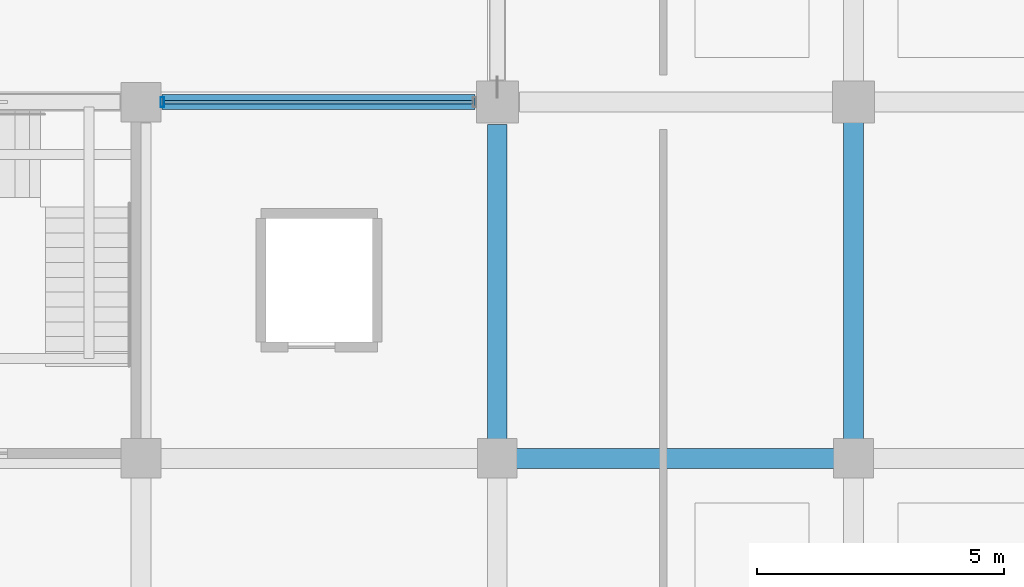
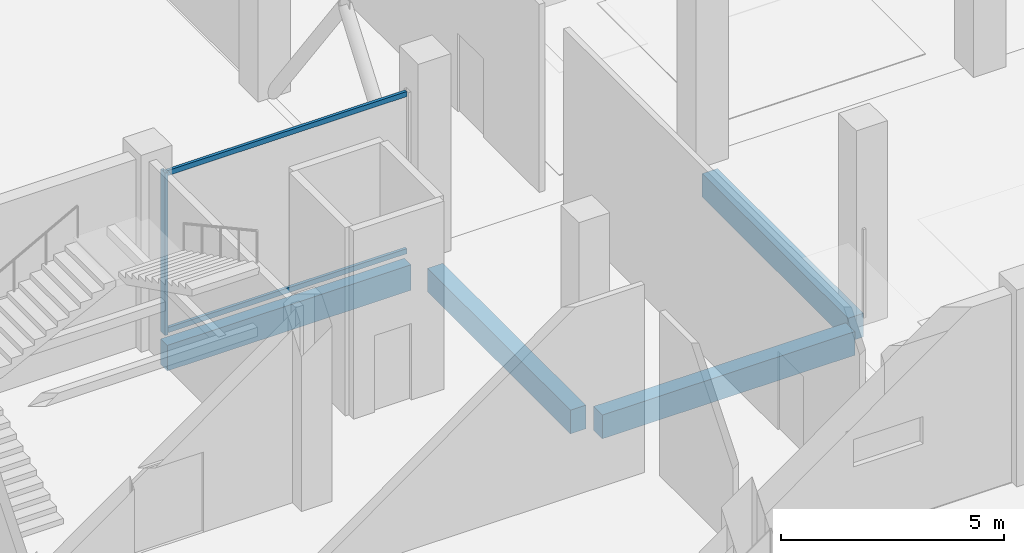
# One storey, part 38 of 90: 4 beams, 3 members, 1 element without a shape of its own.
"""IFC4 building model written with IfcOpenShell, lengths in metres."""

from ifc_helpers import new_model, si_unit, direction, frame, origin, origin_2d, place, context, subcontext, project, spatial, rectangle, hollow_rectangle, extrude, material, layer, layer_set, material_profile, profile_set, type_object, element, aggregate, save


model = new_model("IFC4")

# Units and contexts
model_context = context("Model", 3, precision=1e-05, world=origin(), true_north=direction((0.0, 1.0)))
body_context = subcontext(model_context, "Body", "Model", "MODEL_VIEW")
ifc_project = project(units=[si_unit("LENGTHUNIT", "METRE"), si_unit("AREAUNIT", "SQUARE_METRE"), si_unit("VOLUMEUNIT", "CUBIC_METRE"), si_unit("PLANEANGLEUNIT", "RADIAN"), si_unit("MASSUNIT", "GRAM", prefix="KILO")], contexts=[model_context])

# Site, building, storey
site_placement = place(None, origin())
site = spatial("IfcSite", under=ifc_project, at=site_placement, CompositionType="ELEMENT")
building_placement = place(site_placement, origin())
building = spatial("IfcBuilding", under=site, at=building_placement, Name="Kangsadwip Square Police Headquarters", CompositionType="ELEMENT")
storey_placement = place(building_placement, origin())
storey = spatial("IfcBuildingStorey", under=building, at=storey_placement, Name="L00", CompositionType="ELEMENT", Elevation=0.0)

# Curtain wall, members
ifc_material_1 = material(Name="Thermally broken anodised aluminium AW-6063-T6", Category="aluminium")
ifc_layer = layer(ifc_material_1, 0.159912109375)
ifc_layer_set = layer_set([ifc_layer], Name="Thermally broken anodised aluminium AW-6063-T6")
curtain_wall_type = type_object("IfcCurtainWallType", Name="CourtScreen6385x4450", PredefinedType="USERDEFINED", material=ifc_layer_set)
curtain_wall_placement = place(storey_placement, origin())
curtain_wall = element("IfcCurtainWall", 1, at=curtain_wall_placement, inside=storey, type_object=curtain_wall_type, Name="Curtain Wall CW-L00-1372-0360", ObjectType="GLAZED_SCREEN", PredefinedType="USERDEFINED")
ifc_material_2 = material(Name="Thermally broken anodised aluminium AW-6063-T6", Category="aluminium")
ifc_material_profile_1 = material_profile(ifc_material_2, hollow_rectangle(XDim=0.074951171875, YDim=0.199951171875, WallThickness=0.0048828125, at=origin_2d()), Name="CWM 200X75X5")
ifc_profile_set_1 = profile_set([ifc_material_profile_1], Name="Thermally broken anodised aluminium AW-6063-T6")
member_type_1 = type_object("IfcMemberType", Name="CwMullion180x75", PredefinedType="MULLION", material=ifc_profile_set_1)
member_1_placement = place(storey_placement, frame((137.232421875, 36.0, 0.0), z_axis=(0.0, 0.0, 1.0), x_axis=(1.0, 0.0, 0.0)))
member_1 = element("IfcMember", 2, at=member_1_placement, type_object=member_type_1, Name="CW-01 mullion 1", PredefinedType="MULLION", context=body_context, shape_type="SweptSolid", body=[
    extrude(hollow_rectangle(XDim=0.074951171875, YDim=0.199951171875, WallThickness=0.0048828125, at=origin_2d()), origin(), (0.0, 0.0, 1.0), 4.449951171875),
])
ifc_material_3 = material(Name="Thermally broken anodised aluminium AW-6063-T6", Category="aluminium")
ifc_material_profile_2 = material_profile(ifc_material_3, hollow_rectangle(XDim=0.074951171875, YDim=0.139892578125, WallThickness=0.0048828125, at=origin_2d()), Name="CWT 140X75X5")
ifc_profile_set_2 = profile_set([ifc_material_profile_2], Name="Thermally broken anodised aluminium AW-6063-T6")
member_type_2 = type_object("IfcMemberType", Name="CwTransom160x65", PredefinedType="USERDEFINED", material=ifc_profile_set_2)
member_2_placement = place(storey_placement, frame((137.27001953125, 36.0, 0.070068359375), z_axis=(1.0, 0.0, 0.0), x_axis=(0.0, 1.0, 0.0)))
member_2 = element("IfcMember", 3, at=member_2_placement, type_object=member_type_2, Name="CW-01 transom 1.1", ObjectType="TRANSOM", PredefinedType="USERDEFINED", context=body_context, shape_type="SweptSolid", body=[
    extrude(hollow_rectangle(XDim=0.074951171875, YDim=0.139892578125, WallThickness=0.0048828125, at=origin_2d()), origin(), (0.0, 0.0, 1.0), 6.23486328125),
])
member_3_placement = place(storey_placement, frame((137.27001953125, 36.0, 4.3798828125), z_axis=(1.0, 0.0, 0.0), x_axis=(0.0, 1.0, 0.0)))
member_3 = element("IfcMember", 4, at=member_3_placement, type_object=member_type_2, Name="CW-01 transom 1.2", ObjectType="TRANSOM", PredefinedType="USERDEFINED", context=body_context, shape_type="SweptSolid", body=[
    extrude(hollow_rectangle(XDim=0.074951171875, YDim=0.139892578125, WallThickness=0.0048828125, at=origin_2d()), origin(), (0.0, 0.0, 1.0), 6.23486328125),
])
aggregate(curtain_wall, [member_1, member_2, member_3])

# Beams
ifc_material_4 = material(Name="Concrete M35 (35 MPa)", Category="concrete")
ifc_material_profile_3 = material_profile(ifc_material_4, rectangle(XDim=0.39990234375, YDim=0.64990234375, at=origin_2d()), Name="RC BM 650X400")
ifc_profile_set_3 = profile_set([ifc_material_profile_3], Name="Concrete M35 (35 MPa)")
beam_type_1 = type_object("IfcBeamType", Name="RcBeam650x400", PredefinedType="BEAM", material=ifc_profile_set_3)
beam_1_placement = place(storey_placement, frame((144.324951171875, 28.800048828125, -0.574951171875), z_axis=(1.0, 0.0, 0.0), x_axis=(0.0, 1.0, 0.0)))
element("IfcBeam", 5, at=beam_1_placement, inside=storey, type_object=beam_type_1, Name="Beam BM-L00-X-20-04", PredefinedType="BEAM", context=body_context, shape_type="SweptSolid", body=[
    extrude(rectangle(XDim=0.39990234375, YDim=0.64990234375, at=origin_2d()), origin(), (0.0, 0.0, 1.0), 6.550048828125),
])
beam_2_placement = place(storey_placement, frame((144.0, 29.125, -0.574951171875), z_axis=(0.0, 1.0, 0.0), x_axis=(-1.0, 0.0, 0.0)))
element("IfcBeam", 6, at=beam_2_placement, inside=storey, type_object=beam_type_1, Name="Beam BM-L00-Y-20-04", PredefinedType="BEAM", context=body_context, shape_type="SweptSolid", body=[
    extrude(rectangle(XDim=0.39990234375, YDim=0.64990234375, at=origin_2d()), origin(), (0.0, 0.0, 1.0), 6.425048828125),
])
beam_3_placement = place(storey_placement, frame((151.199951171875, 29.125, -0.574951171875), z_axis=(0.0, 1.0, 0.0), x_axis=(-1.0, 0.0, 0.0)))
element("IfcBeam", 7, at=beam_3_placement, inside=storey, type_object=beam_type_1, Name="Beam BM-L00-Y-21-04", PredefinedType="BEAM", context=body_context, shape_type="SweptSolid", body=[
    extrude(rectangle(XDim=0.39990234375, YDim=0.64990234375, at=origin_2d()), origin(), (0.0, 0.0, 1.0), 6.550048828125),
])
ifc_material_5 = material(Name="Concrete M40 (40 MPa)", Category="concrete")
ifc_material_profile_4 = material_profile(ifc_material_5, rectangle(XDim=0.300048828125, YDim=0.699951171875, at=origin_2d()), Name="RC SPN 700X300")
ifc_profile_set_4 = profile_set([ifc_material_profile_4], Name="Concrete M40 (40 MPa)")
beam_type_2 = type_object("IfcBeamType", Name="RcSpandrel700x300", PredefinedType="SPANDREL", material=ifc_profile_set_4)
beam_4_placement = place(storey_placement, frame((137.22509765625, 36.0, -0.60009765625), z_axis=(1.0, 0.0, 0.0), x_axis=(0.0, 1.0, 0.0)))
element("IfcBeam", 8, at=beam_4_placement, inside=storey, type_object=beam_type_2, Name="Beam BM-L00-X-19-05", PredefinedType="SPANDREL", context=body_context, shape_type="SweptSolid", body=[
    extrude(rectangle(XDim=0.300048828125, YDim=0.699951171875, at=origin_2d()), origin(), (0.0, 0.0, 1.0), 6.324951171875),
])

save(model, "model.ifc")
